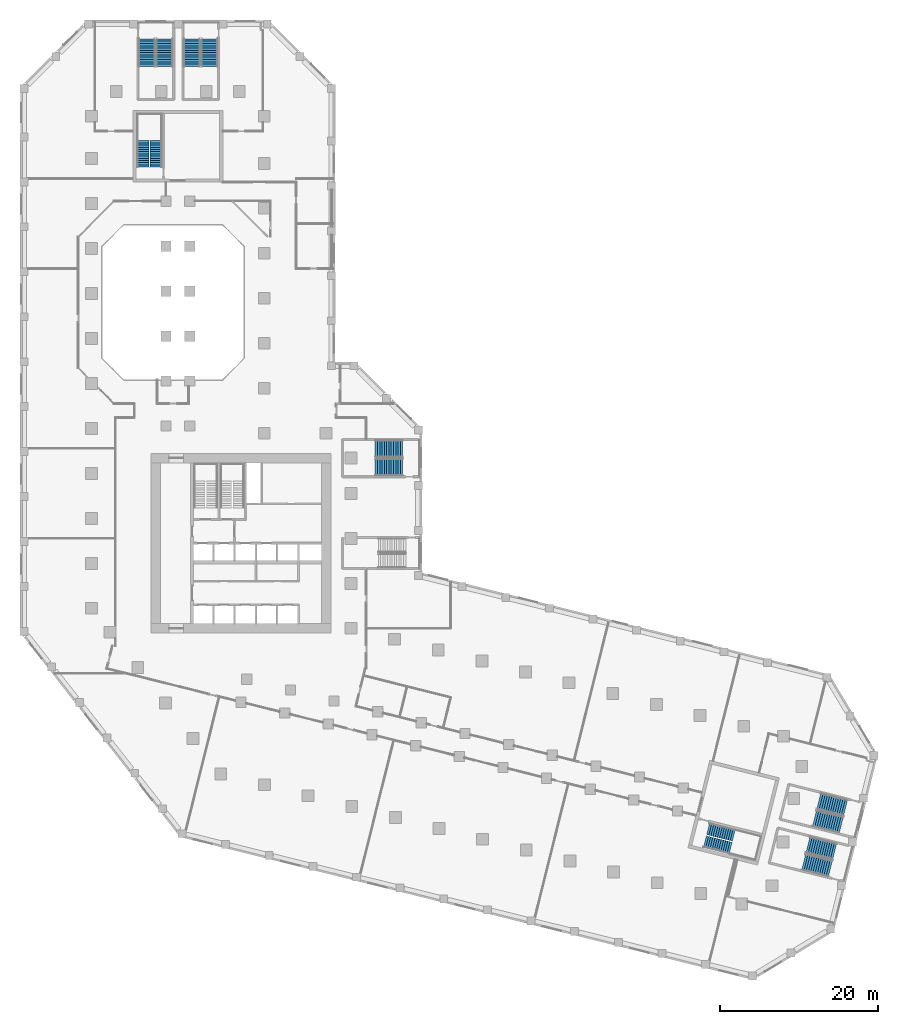
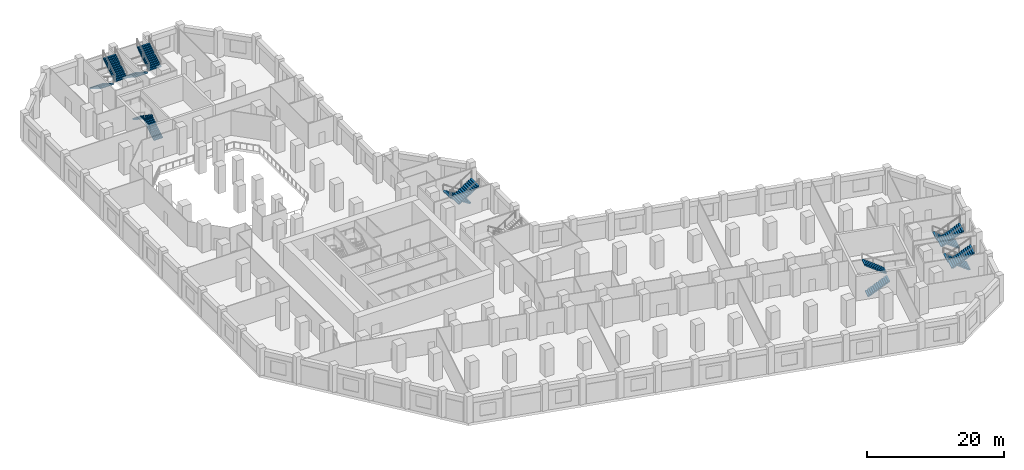
# One storey, part 11 of 16: 14 stair flights, 7 elements without a shape of their own.
"""IFC4 building model written with IfcOpenShell, lengths in metres."""

from ifc_helpers import new_model, si_unit, direction, frame, origin, place, context, subcontext, project, spatial, polyline, outline, extrude, material, type_object, element, aggregate, save


model = new_model("IFC4")

# Units and contexts
model_context = context("Model", 3, precision=1e-05, world=origin(), true_north=direction((0.0, 1.0)))
body_context = subcontext(model_context, "Body", "Model", "MODEL_VIEW")
ifc_project = project(units=[si_unit("LENGTHUNIT", "METRE"), si_unit("AREAUNIT", "SQUARE_METRE"), si_unit("VOLUMEUNIT", "CUBIC_METRE"), si_unit("PLANEANGLEUNIT", "RADIAN"), si_unit("MASSUNIT", "GRAM", prefix="KILO")], contexts=[model_context])

# Site, building, storey
site_placement = place(None, origin())
site = spatial("IfcSite", under=ifc_project, at=site_placement, CompositionType="ELEMENT")
building_placement = place(site_placement, origin())
building = spatial("IfcBuilding", under=site, at=building_placement, Name="Meshkara Civic Tower", CompositionType="ELEMENT")
storey_placement = place(building_placement, frame((0.0, 0.0, 18.60009765625)))
storey = spatial("IfcBuildingStorey", under=building, at=storey_placement, Name="L03", CompositionType="ELEMENT", Elevation=18.60009765625)

# Stair, stair flights
ifc_material_1 = material(Name="Precast concrete C40/50", Category="concrete")
stair_type_1 = type_object("IfcStairType", Name="Exit stair half-turn 26 risers 1500 precast", PredefinedType="HALF_TURN_STAIR", material=ifc_material_1)
stair_1_placement = place(storey_placement, origin())
stair_1 = element("IfcStair", 1, at=stair_1_placement, inside=storey, type_object=stair_type_1, Name="L03 exit stair A from B2", PredefinedType="HALF_TURN_STAIR")
ifc_material_2 = material(Name="Precast concrete C40/50", Category="concrete")
stair_flight_type_1 = type_object("IfcStairFlightType", Name="Exit stair flight 13 risers 1500 precast", PredefinedType="STRAIGHT", material=ifc_material_2)
stair_flight_1_placement = place(storey_placement, frame((8.625, 73.169921875, 0.0), z_axis=(0.0, 0.0, 1.0), x_axis=(0.0, 1.0, 0.0)))
stair_flight_1 = element("IfcStairFlight", 2, at=stair_flight_1_placement, type_object=stair_flight_type_1, Name="ESA1 flight 1", NumberOfRisers=13, NumberOfTreads=12, PredefinedType="STRAIGHT", RiserHeight=0.184615385, TreadLength=0.28, context=body_context, shape_type="SweptSolid", body=[
    extrude(outline(polyline([(0.0, 0.0), (0.0, 0.1845703125), (0.280029296875, 0.1845703125), (0.280029296875, 0.369140625), (0.56005859375, 0.369140625), (0.56005859375, 0.553955078125), (0.840087890625, 0.553955078125), (0.840087890625, 0.738525390625), (1.1201171875, 0.738525390625), (1.1201171875, 0.923095703125), (1.39990234375, 0.923095703125), (1.39990234375, 1.107666015625), (1.679931640625, 1.107666015625), (1.679931640625, 1.292236328125), (1.9599609375, 1.292236328125), (1.9599609375, 1.476806640625), (2.239990234375, 1.476806640625), (2.239990234375, 1.66162109375), (2.52001953125, 1.66162109375), (2.52001953125, 1.84619140625), (2.800048828125, 1.84619140625), (2.800048828125, 2.03076171875), (3.080078125, 2.03076171875), (3.080078125, 2.21533203125), (3.360107421875, 2.21533203125), (3.360107421875, 2.39990234375), (3.360107421875, 2.035888671875), (0.272216796875, 0.0), (0.0, 0.0)])), frame((0.0, 0.75, 0.0), z_axis=(0.0, -1.0, 0.0), x_axis=(1.0, 0.0, 0.0)), (0.0, 0.0, 1.0), 1.5),
])
stair_flight_2_placement = place(storey_placement, frame((6.97509765625, 76.530029296875, 2.39990234375), z_axis=(0.0, 0.0, 1.0), x_axis=(0.0, -1.0, 0.0)))
stair_flight_2 = element("IfcStairFlight", 3, at=stair_flight_2_placement, type_object=stair_flight_type_1, Name="ESA1 flight 2", NumberOfRisers=13, NumberOfTreads=12, PredefinedType="STRAIGHT", RiserHeight=0.184615385, TreadLength=0.28, context=body_context, shape_type="SweptSolid", body=[
    extrude(outline(polyline([(0.0, 0.0), (0.0, 0.1845703125), (0.280029296875, 0.1845703125), (0.280029296875, 0.369140625), (0.56005859375, 0.369140625), (0.56005859375, 0.553955078125), (0.840087890625, 0.553955078125), (0.840087890625, 0.738525390625), (1.1201171875, 0.738525390625), (1.1201171875, 0.923095703125), (1.39990234375, 0.923095703125), (1.39990234375, 1.107666015625), (1.679931640625, 1.107666015625), (1.679931640625, 1.292236328125), (1.9599609375, 1.292236328125), (1.9599609375, 1.476806640625), (2.239990234375, 1.476806640625), (2.239990234375, 1.66162109375), (2.52001953125, 1.66162109375), (2.52001953125, 1.84619140625), (2.800048828125, 1.84619140625), (2.800048828125, 2.03076171875), (3.080078125, 2.03076171875), (3.080078125, 2.21533203125), (3.360107421875, 2.21533203125), (3.360107421875, 2.39990234375), (3.360107421875, 2.035888671875), (0.272216796875, 0.0), (0.0, 0.0)])), frame((0.0, 0.75, 0.0), z_axis=(0.0, -1.0, 0.0), x_axis=(1.0, 0.0, 0.0)), (0.0, 0.0, 1.0), 1.5),
])
aggregate(stair_1, [stair_flight_1, stair_flight_2])

stair_2_placement = place(storey_placement, origin())
stair_2 = element("IfcStair", 4, at=stair_2_placement, inside=storey, type_object=stair_type_1, Name="L03 exit stair B from B2", PredefinedType="HALF_TURN_STAIR")
stair_flight_3_placement = place(storey_placement, frame((78.214599609375, -12.3125, 0.0), z_axis=(0.0, 0.0, 1.0), x_axis=(0.970260066579, -0.242064873955, 0.0)))
stair_flight_3 = element("IfcStairFlight", 5, at=stair_flight_3_placement, type_object=stair_flight_type_1, Name="ESB1 flight 1", NumberOfRisers=13, NumberOfTreads=12, PredefinedType="STRAIGHT", RiserHeight=0.184615385, TreadLength=0.28, context=body_context, shape_type="SweptSolid", body=[
    extrude(outline(polyline([(0.0, 0.0), (0.0, 0.1845703125), (0.280029296875, 0.1845703125), (0.280029296875, 0.369140625), (0.56005859375, 0.369140625), (0.56005859375, 0.553955078125), (0.840087890625, 0.553955078125), (0.840087890625, 0.738525390625), (1.1201171875, 0.738525390625), (1.1201171875, 0.923095703125), (1.39990234375, 0.923095703125), (1.39990234375, 1.107666015625), (1.679931640625, 1.107666015625), (1.679931640625, 1.292236328125), (1.9599609375, 1.292236328125), (1.9599609375, 1.476806640625), (2.239990234375, 1.476806640625), (2.239990234375, 1.66162109375), (2.52001953125, 1.66162109375), (2.52001953125, 1.84619140625), (2.800048828125, 1.84619140625), (2.800048828125, 2.03076171875), (3.080078125, 2.03076171875), (3.080078125, 2.21533203125), (3.360107421875, 2.21533203125), (3.360107421875, 2.39990234375), (3.360107421875, 2.035888671875), (0.272216796875, 0.0), (0.0, 0.0)])), frame((0.0, 0.75, 0.0), z_axis=(0.0, -1.0, 0.0), x_axis=(1.0, 0.0, 0.0)), (0.0, 0.0, 1.0), 1.5),
])
stair_flight_4_placement = place(storey_placement, frame((81.874267578125, -11.52490234375, 2.39990234375), z_axis=(0.0, 0.0, 1.0), x_axis=(-0.970260066579, 0.242064873955, 0.0)))
stair_flight_4 = element("IfcStairFlight", 6, at=stair_flight_4_placement, type_object=stair_flight_type_1, Name="ESB1 flight 2", NumberOfRisers=13, NumberOfTreads=12, PredefinedType="STRAIGHT", RiserHeight=0.184615385, TreadLength=0.28, context=body_context, shape_type="SweptSolid", body=[
    extrude(outline(polyline([(0.0, 0.0), (0.0, 0.1845703125), (0.280029296875, 0.1845703125), (0.280029296875, 0.369140625), (0.56005859375, 0.369140625), (0.56005859375, 0.553955078125), (0.840087890625, 0.553955078125), (0.840087890625, 0.738525390625), (1.1201171875, 0.738525390625), (1.1201171875, 0.923095703125), (1.39990234375, 0.923095703125), (1.39990234375, 1.107666015625), (1.679931640625, 1.107666015625), (1.679931640625, 1.292236328125), (1.9599609375, 1.292236328125), (1.9599609375, 1.476806640625), (2.239990234375, 1.476806640625), (2.239990234375, 1.66162109375), (2.52001953125, 1.66162109375), (2.52001953125, 1.84619140625), (2.800048828125, 1.84619140625), (2.800048828125, 2.03076171875), (3.080078125, 2.03076171875), (3.080078125, 2.21533203125), (3.360107421875, 2.21533203125), (3.360107421875, 2.39990234375), (3.360107421875, 2.035888671875), (0.272216796875, 0.0), (0.0, 0.0)])), frame((0.0, 0.75, 0.0), z_axis=(0.0, -1.0, 0.0), x_axis=(1.0, 0.0, 0.0)), (0.0, 0.0, 1.0), 1.5),
])
aggregate(stair_2, [stair_flight_3, stair_flight_4])

ifc_material_3 = material(Name="Precast concrete C40/50", Category="concrete")
stair_type_2 = type_object("IfcStairType", Name="Podium exit stair half-turn 26 risers 2100 wide precast", PredefinedType="HALF_TURN_STAIR", material=ifc_material_3)
stair_3_placement = place(storey_placement, origin())
stair_3 = element("IfcStair", 7, at=stair_3_placement, inside=storey, type_object=stair_type_2, Name="L03 podium exit stair PS1", PredefinedType="HALF_TURN_STAIR")
ifc_material_4 = material(Name="Precast concrete C40/50", Category="concrete")
stair_flight_type_2 = type_object("IfcStairFlightType", Name="Podium exit stair flight 13 risers 2100 wide precast", PredefinedType="STRAIGHT", material=ifc_material_4)
stair_flight_5_placement = place(storey_placement, frame((7.485107421875, 89.419921875, 0.0), z_axis=(0.0, 0.0, 1.0), x_axis=(0.0, -1.0, 0.0)))
stair_flight_5 = element("IfcStairFlight", 8, at=stair_flight_5_placement, type_object=stair_flight_type_2, Name="PS1 flight 1", NumberOfRisers=13, NumberOfTreads=12, PredefinedType="STRAIGHT", RiserHeight=0.184615385, TreadLength=0.29, context=body_context, shape_type="SweptSolid", body=[
    extrude(outline(polyline([(0.0, 0.0), (0.0, 0.1845703125), (0.2900390625, 0.1845703125), (0.2900390625, 0.369140625), (0.580078125, 0.369140625), (0.580078125, 0.553955078125), (0.8701171875, 0.553955078125), (0.8701171875, 0.738525390625), (1.159912109375, 0.738525390625), (1.159912109375, 0.923095703125), (1.449951171875, 0.923095703125), (1.449951171875, 1.107666015625), (1.739990234375, 1.107666015625), (1.739990234375, 1.292236328125), (2.030029296875, 1.292236328125), (2.030029296875, 1.476806640625), (2.320068359375, 1.476806640625), (2.320068359375, 1.66162109375), (2.610107421875, 1.66162109375), (2.610107421875, 1.84619140625), (2.89990234375, 1.84619140625), (2.89990234375, 2.03076171875), (3.18994140625, 2.03076171875), (3.18994140625, 2.21533203125), (3.47998046875, 2.21533203125), (3.47998046875, 2.39990234375), (3.47998046875, 2.03759765625), (0.279052734375, 0.0), (0.0, 0.0)])), frame((0.0, 1.050048828125, 0.0), z_axis=(0.0, -1.0, 0.0), x_axis=(1.0, 0.0, 0.0)), (0.0, 0.0, 1.0), 2.10009765625),
])
stair_flight_6_placement = place(storey_placement, frame((9.735107421875, 85.93994140625, 2.39990234375), z_axis=(0.0, 0.0, 1.0), x_axis=(0.0, 1.0, 0.0)))
stair_flight_6 = element("IfcStairFlight", 9, at=stair_flight_6_placement, type_object=stair_flight_type_2, Name="PS1 flight 2", NumberOfRisers=13, NumberOfTreads=12, PredefinedType="STRAIGHT", RiserHeight=0.184615385, TreadLength=0.29, context=body_context, shape_type="SweptSolid", body=[
    extrude(outline(polyline([(0.0, 0.0), (0.0, 0.1845703125), (0.2900390625, 0.1845703125), (0.2900390625, 0.369140625), (0.580078125, 0.369140625), (0.580078125, 0.553955078125), (0.8701171875, 0.553955078125), (0.8701171875, 0.738525390625), (1.159912109375, 0.738525390625), (1.159912109375, 0.923095703125), (1.449951171875, 0.923095703125), (1.449951171875, 1.107666015625), (1.739990234375, 1.107666015625), (1.739990234375, 1.292236328125), (2.030029296875, 1.292236328125), (2.030029296875, 1.476806640625), (2.320068359375, 1.476806640625), (2.320068359375, 1.66162109375), (2.610107421875, 1.66162109375), (2.610107421875, 1.84619140625), (2.89990234375, 1.84619140625), (2.89990234375, 2.03076171875), (3.18994140625, 2.03076171875), (3.18994140625, 2.21533203125), (3.47998046875, 2.21533203125), (3.47998046875, 2.39990234375), (3.47998046875, 2.03759765625), (0.279052734375, 0.0), (0.0, 0.0)])), frame((0.0, 1.050048828125, 0.0), z_axis=(0.0, -1.0, 0.0), x_axis=(1.0, 0.0, 0.0)), (0.0, 0.0, 1.0), 2.10009765625),
])
aggregate(stair_3, [stair_flight_5, stair_flight_6])

stair_4_placement = place(storey_placement, origin())
stair_4 = element("IfcStair", 10, at=stair_4_placement, inside=storey, type_object=stair_type_2, Name="L03 podium exit stair PS2", PredefinedType="HALF_TURN_STAIR")
stair_flight_7_placement = place(storey_placement, frame((13.18505859375, 89.419921875, 0.0), z_axis=(0.0, 0.0, 1.0), x_axis=(0.0, -1.0, 0.0)))
stair_flight_7 = element("IfcStairFlight", 11, at=stair_flight_7_placement, type_object=stair_flight_type_2, Name="PS2 flight 1", NumberOfRisers=13, NumberOfTreads=12, PredefinedType="STRAIGHT", RiserHeight=0.184615385, TreadLength=0.29, context=body_context, shape_type="SweptSolid", body=[
    extrude(outline(polyline([(0.0, 0.0), (0.0, 0.1845703125), (0.2900390625, 0.1845703125), (0.2900390625, 0.369140625), (0.580078125, 0.369140625), (0.580078125, 0.553955078125), (0.8701171875, 0.553955078125), (0.8701171875, 0.738525390625), (1.159912109375, 0.738525390625), (1.159912109375, 0.923095703125), (1.449951171875, 0.923095703125), (1.449951171875, 1.107666015625), (1.739990234375, 1.107666015625), (1.739990234375, 1.292236328125), (2.030029296875, 1.292236328125), (2.030029296875, 1.476806640625), (2.320068359375, 1.476806640625), (2.320068359375, 1.66162109375), (2.610107421875, 1.66162109375), (2.610107421875, 1.84619140625), (2.89990234375, 1.84619140625), (2.89990234375, 2.03076171875), (3.18994140625, 2.03076171875), (3.18994140625, 2.21533203125), (3.47998046875, 2.21533203125), (3.47998046875, 2.39990234375), (3.47998046875, 2.03759765625), (0.279052734375, 0.0), (0.0, 0.0)])), frame((0.0, 1.050048828125, 0.0), z_axis=(0.0, -1.0, 0.0), x_axis=(1.0, 0.0, 0.0)), (0.0, 0.0, 1.0), 2.10009765625),
])
stair_flight_8_placement = place(storey_placement, frame((15.43505859375, 85.93994140625, 2.39990234375), z_axis=(0.0, 0.0, 1.0), x_axis=(0.0, 1.0, 0.0)))
stair_flight_8 = element("IfcStairFlight", 12, at=stair_flight_8_placement, type_object=stair_flight_type_2, Name="PS2 flight 2", NumberOfRisers=13, NumberOfTreads=12, PredefinedType="STRAIGHT", RiserHeight=0.184615385, TreadLength=0.29, context=body_context, shape_type="SweptSolid", body=[
    extrude(outline(polyline([(0.0, 0.0), (0.0, 0.1845703125), (0.2900390625, 0.1845703125), (0.2900390625, 0.369140625), (0.580078125, 0.369140625), (0.580078125, 0.553955078125), (0.8701171875, 0.553955078125), (0.8701171875, 0.738525390625), (1.159912109375, 0.738525390625), (1.159912109375, 0.923095703125), (1.449951171875, 0.923095703125), (1.449951171875, 1.107666015625), (1.739990234375, 1.107666015625), (1.739990234375, 1.292236328125), (2.030029296875, 1.292236328125), (2.030029296875, 1.476806640625), (2.320068359375, 1.476806640625), (2.320068359375, 1.66162109375), (2.610107421875, 1.66162109375), (2.610107421875, 1.84619140625), (2.89990234375, 1.84619140625), (2.89990234375, 2.03076171875), (3.18994140625, 2.03076171875), (3.18994140625, 2.21533203125), (3.47998046875, 2.21533203125), (3.47998046875, 2.39990234375), (3.47998046875, 2.03759765625), (0.279052734375, 0.0), (0.0, 0.0)])), frame((0.0, 1.050048828125, 0.0), z_axis=(0.0, -1.0, 0.0), x_axis=(1.0, 0.0, 0.0)), (0.0, 0.0, 1.0), 2.10009765625),
])
aggregate(stair_4, [stair_flight_7, stair_flight_8])

stair_5_placement = place(storey_placement, origin())
stair_5 = element("IfcStair", 13, at=stair_5_placement, inside=storey, type_object=stair_type_2, Name="L03 podium exit stair PS3", PredefinedType="HALF_TURN_STAIR")
stair_flight_9_placement = place(storey_placement, frame((94.6494140625, -13.565673828125, 0.0), z_axis=(0.0, 0.0, 1.0), x_axis=(-0.970295726276, 0.2419218956, 0.0)))
stair_flight_9 = element("IfcStairFlight", 14, at=stair_flight_9_placement, type_object=stair_flight_type_2, Name="PS3 flight 1", NumberOfRisers=13, NumberOfTreads=12, PredefinedType="STRAIGHT", RiserHeight=0.184615385, TreadLength=0.29, context=body_context, shape_type="SweptSolid", body=[
    extrude(outline(polyline([(0.0, 0.0), (0.0, 0.1845703125), (0.2900390625, 0.1845703125), (0.2900390625, 0.369140625), (0.580078125, 0.369140625), (0.580078125, 0.553955078125), (0.8701171875, 0.553955078125), (0.8701171875, 0.738525390625), (1.159912109375, 0.738525390625), (1.159912109375, 0.923095703125), (1.449951171875, 0.923095703125), (1.449951171875, 1.107666015625), (1.739990234375, 1.107666015625), (1.739990234375, 1.292236328125), (2.030029296875, 1.292236328125), (2.030029296875, 1.476806640625), (2.320068359375, 1.476806640625), (2.320068359375, 1.66162109375), (2.610107421875, 1.66162109375), (2.610107421875, 1.84619140625), (2.89990234375, 1.84619140625), (2.89990234375, 2.03076171875), (3.18994140625, 2.03076171875), (3.18994140625, 2.21533203125), (3.47998046875, 2.21533203125), (3.47998046875, 2.39990234375), (3.47998046875, 2.03759765625), (0.279052734375, 0.0), (0.0, 0.0)])), frame((0.0, 1.050048828125, 0.0), z_axis=(0.0, -1.0, 0.0), x_axis=(1.0, 0.0, 0.0)), (0.0, 0.0, 1.0), 2.10009765625),
])
stair_flight_10_placement = place(storey_placement, frame((90.728515625, -14.906982421875, 2.39990234375), z_axis=(0.0, 0.0, 1.0), x_axis=(0.970295726276, -0.2419218956, 0.0)))
stair_flight_10 = element("IfcStairFlight", 15, at=stair_flight_10_placement, type_object=stair_flight_type_2, Name="PS3 flight 2", NumberOfRisers=13, NumberOfTreads=12, PredefinedType="STRAIGHT", RiserHeight=0.184615385, TreadLength=0.29, context=body_context, shape_type="SweptSolid", body=[
    extrude(outline(polyline([(0.0, 0.0), (0.0, 0.1845703125), (0.2900390625, 0.1845703125), (0.2900390625, 0.369140625), (0.580078125, 0.369140625), (0.580078125, 0.553955078125), (0.8701171875, 0.553955078125), (0.8701171875, 0.738525390625), (1.159912109375, 0.738525390625), (1.159912109375, 0.923095703125), (1.449951171875, 0.923095703125), (1.449951171875, 1.107666015625), (1.739990234375, 1.107666015625), (1.739990234375, 1.292236328125), (2.030029296875, 1.292236328125), (2.030029296875, 1.476806640625), (2.320068359375, 1.476806640625), (2.320068359375, 1.66162109375), (2.610107421875, 1.66162109375), (2.610107421875, 1.84619140625), (2.89990234375, 1.84619140625), (2.89990234375, 2.03076171875), (3.18994140625, 2.03076171875), (3.18994140625, 2.21533203125), (3.47998046875, 2.21533203125), (3.47998046875, 2.39990234375), (3.47998046875, 2.03759765625), (0.279052734375, 0.0), (0.0, 0.0)])), frame((0.0, 1.050048828125, 0.0), z_axis=(0.0, -1.0, 0.0), x_axis=(1.0, 0.0, 0.0)), (0.0, 0.0, 1.0), 2.10009765625),
])
aggregate(stair_5, [stair_flight_9, stair_flight_10])

stair_6_placement = place(storey_placement, origin())
stair_6 = element("IfcStair", 16, at=stair_6_placement, inside=storey, type_object=stair_type_2, Name="L03 podium exit stair PS4", PredefinedType="HALF_TURN_STAIR")
stair_flight_11_placement = place(storey_placement, frame((96.0283203125, -8.03466796875, 0.0), z_axis=(0.0, 0.0, 1.0), x_axis=(-0.970295726276, 0.2419218956, 0.0)))
stair_flight_11 = element("IfcStairFlight", 17, at=stair_flight_11_placement, type_object=stair_flight_type_2, Name="PS4 flight 1", NumberOfRisers=13, NumberOfTreads=12, PredefinedType="STRAIGHT", RiserHeight=0.184615385, TreadLength=0.29, context=body_context, shape_type="SweptSolid", body=[
    extrude(outline(polyline([(0.0, 0.0), (0.0, 0.1845703125), (0.2900390625, 0.1845703125), (0.2900390625, 0.369140625), (0.580078125, 0.369140625), (0.580078125, 0.553955078125), (0.8701171875, 0.553955078125), (0.8701171875, 0.738525390625), (1.159912109375, 0.738525390625), (1.159912109375, 0.923095703125), (1.449951171875, 0.923095703125), (1.449951171875, 1.107666015625), (1.739990234375, 1.107666015625), (1.739990234375, 1.292236328125), (2.030029296875, 1.292236328125), (2.030029296875, 1.476806640625), (2.320068359375, 1.476806640625), (2.320068359375, 1.66162109375), (2.610107421875, 1.66162109375), (2.610107421875, 1.84619140625), (2.89990234375, 1.84619140625), (2.89990234375, 2.03076171875), (3.18994140625, 2.03076171875), (3.18994140625, 2.21533203125), (3.47998046875, 2.21533203125), (3.47998046875, 2.39990234375), (3.47998046875, 2.03759765625), (0.279052734375, 0.0), (0.0, 0.0)])), frame((0.0, 1.050048828125, 0.0), z_axis=(0.0, -1.0, 0.0), x_axis=(1.0, 0.0, 0.0)), (0.0, 0.0, 1.0), 2.10009765625),
])
stair_flight_12_placement = place(storey_placement, frame((92.107421875, -9.3759765625, 2.39990234375), z_axis=(0.0, 0.0, 1.0), x_axis=(0.970295726276, -0.2419218956, 0.0)))
stair_flight_12 = element("IfcStairFlight", 18, at=stair_flight_12_placement, type_object=stair_flight_type_2, Name="PS4 flight 2", NumberOfRisers=13, NumberOfTreads=12, PredefinedType="STRAIGHT", RiserHeight=0.184615385, TreadLength=0.29, context=body_context, shape_type="SweptSolid", body=[
    extrude(outline(polyline([(0.0, 0.0), (0.0, 0.1845703125), (0.2900390625, 0.1845703125), (0.2900390625, 0.369140625), (0.580078125, 0.369140625), (0.580078125, 0.553955078125), (0.8701171875, 0.553955078125), (0.8701171875, 0.738525390625), (1.159912109375, 0.738525390625), (1.159912109375, 0.923095703125), (1.449951171875, 0.923095703125), (1.449951171875, 1.107666015625), (1.739990234375, 1.107666015625), (1.739990234375, 1.292236328125), (2.030029296875, 1.292236328125), (2.030029296875, 1.476806640625), (2.320068359375, 1.476806640625), (2.320068359375, 1.66162109375), (2.610107421875, 1.66162109375), (2.610107421875, 1.84619140625), (2.89990234375, 1.84619140625), (2.89990234375, 2.03076171875), (3.18994140625, 2.03076171875), (3.18994140625, 2.21533203125), (3.47998046875, 2.21533203125), (3.47998046875, 2.39990234375), (3.47998046875, 2.03759765625), (0.279052734375, 0.0), (0.0, 0.0)])), frame((0.0, 1.050048828125, 0.0), z_axis=(0.0, -1.0, 0.0), x_axis=(1.0, 0.0, 0.0)), (0.0, 0.0, 1.0), 2.10009765625),
])
aggregate(stair_6, [stair_flight_11, stair_flight_12])

ifc_material_5 = material(Name="Precast concrete C40/50", Category="concrete")
stair_type_3 = type_object("IfcStairType", Name="Podium exit stair half-turn 26 risers 2200 wide precast", PredefinedType="HALF_TURN_STAIR", material=ifc_material_5)
stair_7_placement = place(storey_placement, origin())
stair_7 = element("IfcStair", 19, at=stair_7_placement, inside=storey, type_object=stair_type_3, Name="L03 podium exit stair PS6", PredefinedType="HALF_TURN_STAIR")
ifc_material_6 = material(Name="Precast concrete C40/50", Category="concrete")
stair_flight_type_3 = type_object("IfcStairFlightType", Name="Podium exit stair flight 13 risers 2200 wide precast", PredefinedType="STRAIGHT", material=ifc_material_6)
stair_flight_13_placement = place(storey_placement, frame((39.89990234375, 37.47509765625, 0.0), z_axis=(0.0, 0.0, 1.0), x_axis=(-1.0, 0.0, 0.0)))
stair_flight_13 = element("IfcStairFlight", 20, at=stair_flight_13_placement, type_object=stair_flight_type_3, Name="PS6 flight 1", NumberOfRisers=13, NumberOfTreads=12, PredefinedType="STRAIGHT", RiserHeight=0.184615385, TreadLength=0.29, context=body_context, shape_type="SweptSolid", body=[
    extrude(outline(polyline([(0.0, 0.0), (0.0, 0.1845703125), (0.2900390625, 0.1845703125), (0.2900390625, 0.369140625), (0.580078125, 0.369140625), (0.580078125, 0.553955078125), (0.8701171875, 0.553955078125), (0.8701171875, 0.738525390625), (1.159912109375, 0.738525390625), (1.159912109375, 0.923095703125), (1.449951171875, 0.923095703125), (1.449951171875, 1.107666015625), (1.739990234375, 1.107666015625), (1.739990234375, 1.292236328125), (2.030029296875, 1.292236328125), (2.030029296875, 1.476806640625), (2.320068359375, 1.476806640625), (2.320068359375, 1.66162109375), (2.610107421875, 1.66162109375), (2.610107421875, 1.84619140625), (2.89990234375, 1.84619140625), (2.89990234375, 2.03076171875), (3.18994140625, 2.03076171875), (3.18994140625, 2.21533203125), (3.47998046875, 2.21533203125), (3.47998046875, 2.39990234375), (3.47998046875, 2.03759765625), (0.279052734375, 0.0), (0.0, 0.0)])), frame((0.0, 1.10009765625, 0.0), z_axis=(0.0, -1.0, 0.0), x_axis=(1.0, 0.0, 0.0)), (0.0, 0.0, 1.0), 2.199951171875),
])
stair_flight_14_placement = place(storey_placement, frame((36.419921875, 35.125, 2.39990234375), z_axis=(0.0, 0.0, 1.0), x_axis=(1.0, 0.0, 0.0)))
stair_flight_14 = element("IfcStairFlight", 21, at=stair_flight_14_placement, type_object=stair_flight_type_3, Name="PS6 flight 2", NumberOfRisers=13, NumberOfTreads=12, PredefinedType="STRAIGHT", RiserHeight=0.184615385, TreadLength=0.29, context=body_context, shape_type="SweptSolid", body=[
    extrude(outline(polyline([(0.0, 0.0), (0.0, 0.1845703125), (0.2900390625, 0.1845703125), (0.2900390625, 0.369140625), (0.580078125, 0.369140625), (0.580078125, 0.553955078125), (0.8701171875, 0.553955078125), (0.8701171875, 0.738525390625), (1.159912109375, 0.738525390625), (1.159912109375, 0.923095703125), (1.449951171875, 0.923095703125), (1.449951171875, 1.107666015625), (1.739990234375, 1.107666015625), (1.739990234375, 1.292236328125), (2.030029296875, 1.292236328125), (2.030029296875, 1.476806640625), (2.320068359375, 1.476806640625), (2.320068359375, 1.66162109375), (2.610107421875, 1.66162109375), (2.610107421875, 1.84619140625), (2.89990234375, 1.84619140625), (2.89990234375, 2.03076171875), (3.18994140625, 2.03076171875), (3.18994140625, 2.21533203125), (3.47998046875, 2.21533203125), (3.47998046875, 2.39990234375), (3.47998046875, 2.03759765625), (0.279052734375, 0.0), (0.0, 0.0)])), frame((0.0, 1.10009765625, 0.0), z_axis=(0.0, -1.0, 0.0), x_axis=(1.0, 0.0, 0.0)), (0.0, 0.0, 1.0), 2.199951171875),
])
aggregate(stair_7, [stair_flight_13, stair_flight_14])

save(model, "model.ifc")
